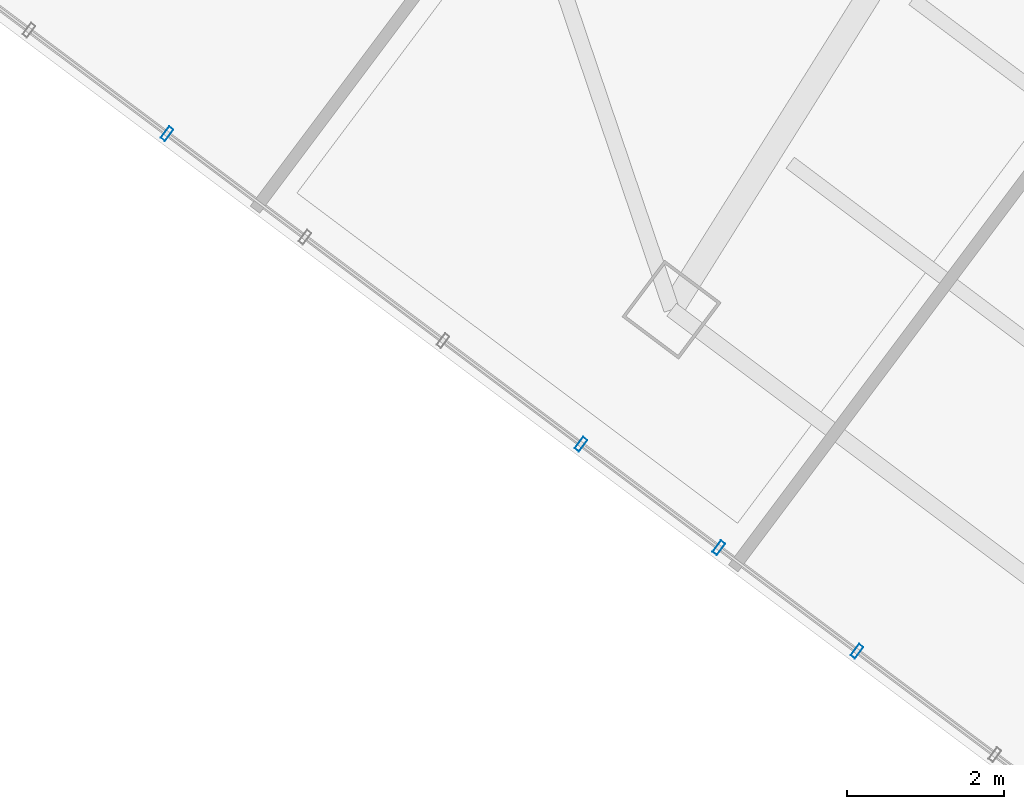
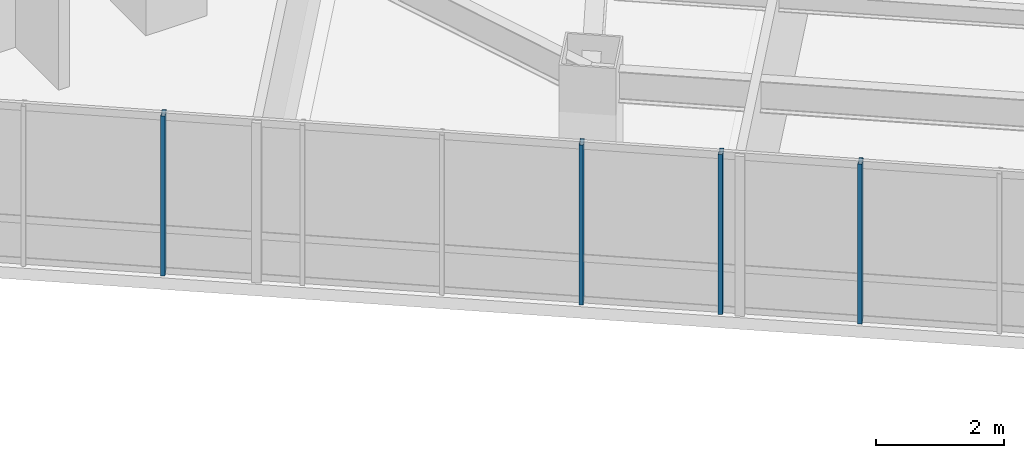
# One storey, part 2 of 36: 4 members, 1 element without a shape of its own.
"""IFC4 building model written with IfcOpenShell, lengths in metres."""

from ifc_helpers import new_model, si_unit, direction, frame, origin, origin_2d, place, context, subcontext, project, spatial, hollow_rectangle, extrude, material, layer, layer_set, material_profile, profile_set, type_object, element, aggregate, save


model = new_model("IFC4")

# Units and contexts
model_context = context("Model", 3, precision=1e-05, world=origin(), true_north=direction((0.0, 1.0)))
body_context = subcontext(model_context, "Body", "Model", "MODEL_VIEW")
ifc_project = project(units=[si_unit("LENGTHUNIT", "METRE"), si_unit("AREAUNIT", "SQUARE_METRE"), si_unit("VOLUMEUNIT", "CUBIC_METRE"), si_unit("PLANEANGLEUNIT", "RADIAN"), si_unit("MASSUNIT", "GRAM", prefix="KILO")], contexts=[model_context])

# Site, building, storey
site_placement = place(None, origin())
site = spatial("IfcSite", under=ifc_project, at=site_placement, CompositionType="ELEMENT")
building_placement = place(site_placement, origin())
building = spatial("IfcBuilding", under=site, at=building_placement, Name="Hatsunagi Terrace Concourse", CompositionType="ELEMENT")
storey_placement = place(building_placement, frame((0.0, 0.0, 88.0)))
storey = spatial("IfcBuildingStorey", under=building, at=storey_placement, Name="L23", CompositionType="ELEMENT", Elevation=88.0)

# Curtain wall, members
ifc_material_1 = material(Name="Anodised Aluminium Alloy 6063-T5", Category="aluminium")
ifc_layer = layer(ifc_material_1, 0.199951171875)
ifc_layer_set = layer_set([ifc_layer], Name="HotelFacade_CW02")
curtain_wall_type = type_object("IfcCurtainWallType", Name="HotelFacade_CW02", PredefinedType="NOTDEFINED", material=ifc_layer_set)
curtain_wall_placement = place(storey_placement, origin())
curtain_wall = element("IfcCurtainWall", 1, at=curtain_wall_placement, inside=storey, type_object=curtain_wall_type, Name="Unitised Curtain Wall CW-02 CW-L23-05", PredefinedType="NOTDEFINED")
ifc_material_2 = material(Name="Anodised Aluminium Alloy 6063-T5", Category="aluminium")
ifc_material_profile = material_profile(ifc_material_2, hollow_rectangle(XDim=0.070068359375, YDim=0.179931640625, WallThickness=0.00390625, at=origin_2d()), Name="ALU-MUL-180x70x4")
ifc_profile_set = profile_set([ifc_material_profile], Name="Anodised Aluminium Alloy 6063-T5")
member_type = type_object("IfcMemberType", Name="CurtainWallMullion_180x70", PredefinedType="MULLION", material=ifc_profile_set)
member_1_placement = place(storey_placement, frame((41.037109375, 11.697998046875, 0.0), z_axis=(0.0, 0.0, 1.0), x_axis=(-0.800003116929, 0.599995844072, 0.0)))
member_1 = element("IfcMember", 2, at=member_1_placement, type_object=member_type, Name="Curtain Wall Mullion MUL-02", PredefinedType="MULLION", context=body_context, shape_type="SweptSolid", body=[
    extrude(hollow_rectangle(XDim=0.070068359375, YDim=0.179931640625, WallThickness=0.00390625, at=origin_2d()), origin(), (0.0, 0.0, 1.0), 3.050048828125),
])
member_2_placement = place(storey_placement, frame((39.281982421875, 13.012939453125, 0.0), z_axis=(0.0, 0.0, 1.0), x_axis=(-0.800003116929, 0.599995844072, 0.0)))
member_2 = element("IfcMember", 3, at=member_2_placement, type_object=member_type, Name="Curtain Wall Mullion MUL-02", PredefinedType="MULLION", context=body_context, shape_type="SweptSolid", body=[
    extrude(hollow_rectangle(XDim=0.070068359375, YDim=0.179931640625, WallThickness=0.00390625, at=origin_2d()), origin(), (0.0, 0.0, 1.0), 3.050048828125),
])
member_3_placement = place(storey_placement, frame((37.528076171875, 14.3291015625, 0.0), z_axis=(0.0, 0.0, 1.0), x_axis=(-0.800003116929, 0.599995844072, 0.0)))
member_3 = element("IfcMember", 4, at=member_3_placement, type_object=member_type, Name="Curtain Wall Mullion MUL-02", PredefinedType="MULLION", context=body_context, shape_type="SweptSolid", body=[
    extrude(hollow_rectangle(XDim=0.070068359375, YDim=0.179931640625, WallThickness=0.00390625, at=origin_2d()), origin(), (0.0, 0.0, 1.0), 3.050048828125),
])
member_4_placement = place(storey_placement, frame((32.264892578125, 18.277099609375, 0.0), z_axis=(0.0, 0.0, 1.0), x_axis=(-0.800003116929, 0.599995844072, 0.0)))
member_4 = element("IfcMember", 5, at=member_4_placement, type_object=member_type, Name="Curtain Wall Mullion MUL-02", PredefinedType="MULLION", context=body_context, shape_type="SweptSolid", body=[
    extrude(hollow_rectangle(XDim=0.070068359375, YDim=0.179931640625, WallThickness=0.00390625, at=origin_2d()), origin(), (0.0, 0.0, 1.0), 3.050048828125),
])
aggregate(curtain_wall, [member_1, member_2, member_3, member_4])

save(model, "model.ifc")
